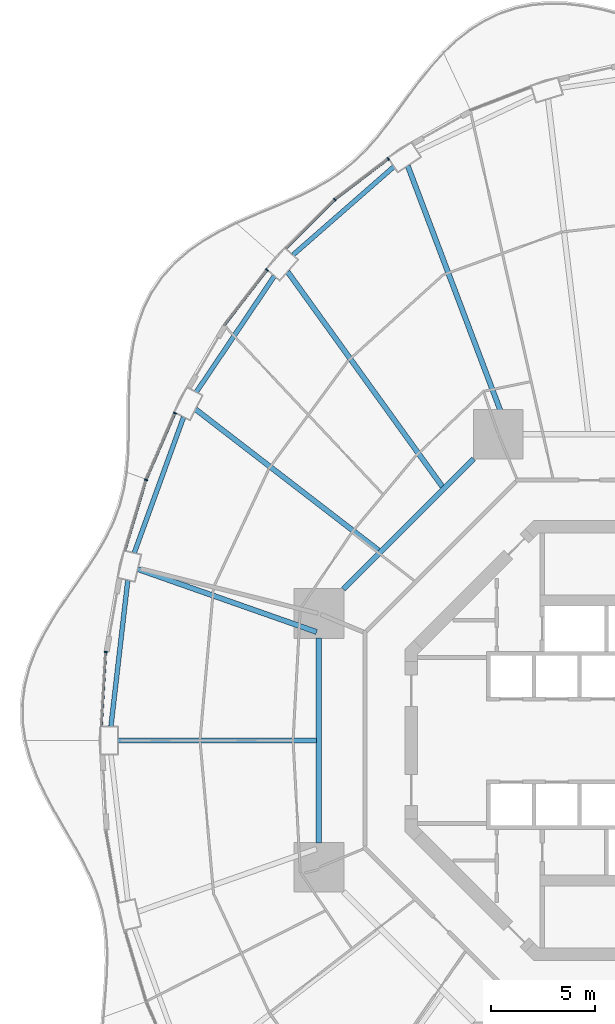
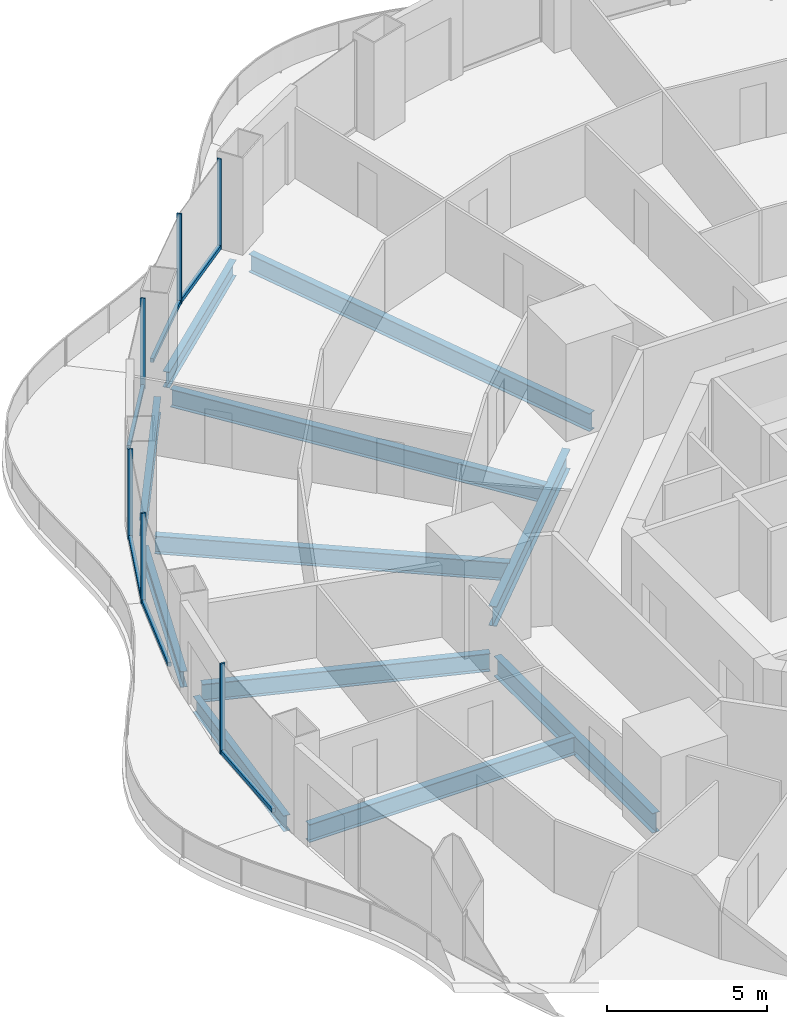
# One storey, part 7 of 22: 12 members, 11 beams, 6 elements without a shape of their own.
"""IFC4 building model written with IfcOpenShell, lengths in metres."""

from ifc_helpers import new_model, si_unit, direction, frame, origin, origin_2d, place, context, subcontext, project, spatial, rectangle, i_section, extrude, material, layer, layer_set, material_profile, profile_set, type_object, element, aggregate, save


model = new_model("IFC4")

# Units and contexts
model_context = context("Model", 3, precision=1e-05, world=origin(), true_north=direction((0.0, 1.0)))
body_context = subcontext(model_context, "Body", "Model", "MODEL_VIEW")
ifc_project = project(units=[si_unit("LENGTHUNIT", "METRE"), si_unit("AREAUNIT", "SQUARE_METRE"), si_unit("VOLUMEUNIT", "CUBIC_METRE"), si_unit("PLANEANGLEUNIT", "RADIAN"), si_unit("MASSUNIT", "GRAM", prefix="KILO")], contexts=[model_context])

# Site, building, storey
site_placement = place(None, origin())
site = spatial("IfcSite", under=ifc_project, at=site_placement, CompositionType="ELEMENT")
building_placement = place(site_placement, origin())
building = spatial("IfcBuilding", under=site, at=building_placement, Name="Nagisa Residences", CompositionType="ELEMENT")
storey_placement = place(building_placement, frame((0.0, 0.0, 34.39990234375)))
storey = spatial("IfcBuildingStorey", under=building, at=storey_placement, Name="L07", CompositionType="ELEMENT", Elevation=34.39990234375)

# Curtain wall, member
ifc_material_1 = material(Name="Concrete-coloured aluminium curtain wall system", Category="concrete")
ifc_layer = layer(ifc_material_1, 0.159912109375)
ifc_layer_set = layer_set([ifc_layer], Name="CW1 CURTAIN WALL")
curtain_wall_type = type_object("IfcCurtainWallType", Name="CW1 CURTAIN WALL", PredefinedType="NOTDEFINED", material=ifc_layer_set)
curtain_wall_1_placement = place(storey_placement, origin())
curtain_wall_1 = element("IfcCurtainWall", 1, at=curtain_wall_1_placement, inside=storey, type_object=curtain_wall_type, Name="cw:CW1:L07:16", PredefinedType="NOTDEFINED")
ifc_material_2 = material(Name="Concrete-coloured aluminium", Category="concrete")
ifc_material_profile_1 = material_profile(ifc_material_2, rectangle(XDim=0.159912109375, YDim=0.06005859375, at=origin_2d()), Name="CW1 MULLION 160x60")
ifc_profile_set_1 = profile_set([ifc_material_profile_1], Name="Concrete-coloured aluminium")
member_type_1 = type_object("IfcMemberType", Name="CW1 MULLION 160x60", PredefinedType="MULLION", material=ifc_profile_set_1)
member_1_placement = place(storey_placement, frame((-11.4326171875, 28.0732421875, 0.0), z_axis=(0.0, 0.0, 1.0), x_axis=(0.605255421737, -0.79603132756, 0.0)))
member_1 = element("IfcMember", 2, at=member_1_placement, type_object=member_type_1, Name="CW1 mullion", PredefinedType="MULLION", context=body_context, shape_type="SweptSolid", body=[
    extrude(rectangle(XDim=0.159912109375, YDim=0.06005859375, at=origin_2d()), origin(), (0.0, 0.0, 1.0), 3.440185546875),
])

curtain_wall_2_placement = place(storey_placement, origin())
curtain_wall_2 = element("IfcCurtainWall", 3, at=curtain_wall_2_placement, inside=storey, type_object=curtain_wall_type, Name="cw:CW1:L07:17", PredefinedType="NOTDEFINED")
member_2_placement = place(storey_placement, frame((-14.018798828125, 26.102783203125, 0.0), z_axis=(0.0, 0.0, 1.0), x_axis=(0.706376885714, -0.707835924016, 0.0)))
member_2 = element("IfcMember", 4, at=member_2_placement, type_object=member_type_1, Name="CW1 mullion", PredefinedType="MULLION", context=body_context, shape_type="SweptSolid", body=[
    extrude(rectangle(XDim=0.159912109375, YDim=0.06005859375, at=origin_2d()), origin(), (0.0, 0.0, 1.0), 3.440185546875),
])

curtain_wall_3_placement = place(storey_placement, origin())
curtain_wall_3 = element("IfcCurtainWall", 5, at=curtain_wall_3_placement, inside=storey, type_object=curtain_wall_type, Name="cw:CW1:L07:18", PredefinedType="NOTDEFINED")
member_3_placement = place(storey_placement, frame((-17.288330078125, 22.70751953125, 0.0), z_axis=(0.0, 0.0, 1.0), x_axis=(0.792070340816, -0.610429828235, 0.0)))
member_3 = element("IfcMember", 6, at=member_3_placement, type_object=member_type_1, Name="CW1 mullion", PredefinedType="MULLION", context=body_context, shape_type="SweptSolid", body=[
    extrude(rectangle(XDim=0.159912109375, YDim=0.06005859375, at=origin_2d()), origin(), (0.0, 0.0, 1.0), 3.440185546875),
])

curtain_wall_4_placement = place(storey_placement, origin())
curtain_wall_4 = element("IfcCurtainWall", 7, at=curtain_wall_4_placement, inside=storey, type_object=curtain_wall_type, Name="cw:CW1:L07:20", PredefinedType="NOTDEFINED")
member_4_placement = place(storey_placement, frame((-21.731689453125, 15.79833984375, 0.0), z_axis=(0.0, 0.0, 1.0), x_axis=(0.917543276295, -0.397635934147, 0.0)))
member_4 = element("IfcMember", 8, at=member_4_placement, type_object=member_type_1, Name="CW1 mullion", PredefinedType="MULLION", context=body_context, shape_type="SweptSolid", body=[
    extrude(rectangle(XDim=0.159912109375, YDim=0.06005859375, at=origin_2d()), origin(), (0.0, 0.0, 1.0), 3.440185546875),
])

curtain_wall_5_placement = place(storey_placement, origin())
curtain_wall_5 = element("IfcCurtainWall", 9, at=curtain_wall_5_placement, inside=storey, type_object=curtain_wall_type, Name="cw:CW1:L07:21", PredefinedType="NOTDEFINED")
member_5_placement = place(storey_placement, frame((-23.12451171875, 12.576904296875, 0.0), z_axis=(0.0, 0.0, 1.0), x_axis=(0.958271310082, -0.285860274038, 0.0)))
member_5 = element("IfcMember", 10, at=member_5_placement, type_object=member_type_1, Name="CW1 mullion", PredefinedType="MULLION", context=body_context, shape_type="SweptSolid", body=[
    extrude(rectangle(XDim=0.159912109375, YDim=0.06005859375, at=origin_2d()), origin(), (0.0, 0.0, 1.0), 3.440185546875),
])

curtain_wall_6_placement = place(storey_placement, origin())
curtain_wall_6 = element("IfcCurtainWall", 11, at=curtain_wall_6_placement, inside=storey, type_object=curtain_wall_type, Name="cw:CW1:L07:23", PredefinedType="NOTDEFINED")
member_6_placement = place(storey_placement, frame((-25.07373046875, 4.272705078125, 0.0), z_axis=(0.0, 0.0, 1.0), x_axis=(0.998345305184, -0.057503492216, 0.0)))
member_6 = element("IfcMember", 12, at=member_6_placement, type_object=member_type_1, Name="CW1 mullion", PredefinedType="MULLION", context=body_context, shape_type="SweptSolid", body=[
    extrude(rectangle(XDim=0.159912109375, YDim=0.06005859375, at=origin_2d()), origin(), (0.0, 0.0, 1.0), 3.440185546875),
])

# Member
ifc_material_3 = material(Name="Concrete-coloured aluminium", Category="concrete")
ifc_material_profile_2 = material_profile(ifc_material_3, rectangle(XDim=0.1201171875, YDim=0.14990234375, at=origin_2d()), Name="CW1 TRANSOM 120x150")
ifc_profile_set_2 = profile_set([ifc_material_profile_2], Name="Concrete-coloured aluminium")
member_type_2 = type_object("IfcMemberType", Name="CW1 TRANSOM 120x150", PredefinedType="USERDEFINED", material=ifc_profile_set_2)
member_7_placement = place(storey_placement, frame((-11.40869140625, 28.091552734375, 0.0751953125), z_axis=(-0.796022293214, -0.605267303517, 0.0), x_axis=(0.605267303517, -0.796022293214, 0.0)))
member_7 = element("IfcMember", 13, at=member_7_placement, type_object=member_type_2, Name="CW1 transom", ObjectType="TRANSOM", PredefinedType="USERDEFINED", context=body_context, shape_type="SweptSolid", body=[
    extrude(rectangle(XDim=0.1201171875, YDim=0.14990234375, at=origin_2d()), origin(), (0.0, 0.0, 1.0), 3.262451171875),
])

aggregate(curtain_wall_1, [member_1, member_7])

member_8_placement = place(storey_placement, frame((-13.99755859375, 26.1240234375, 0.0751953125), z_axis=(-0.707839761606, -0.706373040177, 0.0), x_axis=(0.706373040177, -0.707839761606, 0.0)))
member_8 = element("IfcMember", 14, at=member_8_placement, type_object=member_type_2, Name="CW1 transom", ObjectType="TRANSOM", PredefinedType="USERDEFINED", context=body_context, shape_type="SweptSolid", body=[
    extrude(rectangle(XDim=0.1201171875, YDim=0.14990234375, at=origin_2d()), origin(), (0.0, 0.0, 1.0), 3.3291015625),
])

aggregate(curtain_wall_2, [member_2, member_8])

member_9_placement = place(storey_placement, frame((-17.27001953125, 22.731201171875, 0.0751953125), z_axis=(-0.610457147657, -0.792049285635, 0.0), x_axis=(0.792049285635, -0.610457147657, 0.0)))
member_9 = element("IfcMember", 15, at=member_9_placement, type_object=member_type_2, Name="CW1 transom", ObjectType="TRANSOM", PredefinedType="USERDEFINED", context=body_context, shape_type="SweptSolid", body=[
    extrude(rectangle(XDim=0.1201171875, YDim=0.14990234375, at=origin_2d()), origin(), (0.0, 0.0, 1.0), 3.3974609375),
])

aggregate(curtain_wall_3, [member_3, member_9])

member_10_placement = place(storey_placement, frame((-21.7197265625, 15.825927734375, 0.0751953125), z_axis=(-0.397624958345, -0.917548032803, 0.0), x_axis=(0.917548032803, -0.397624958345, 0.0)))
member_10 = element("IfcMember", 16, at=member_10_placement, type_object=member_type_2, Name="CW1 transom", ObjectType="TRANSOM", PredefinedType="USERDEFINED", context=body_context, shape_type="SweptSolid", body=[
    extrude(rectangle(XDim=0.1201171875, YDim=0.14990234375, at=origin_2d()), origin(), (0.0, 0.0, 1.0), 3.51953125),
])

aggregate(curtain_wall_4, [member_4, member_10])

member_11_placement = place(storey_placement, frame((-23.115966796875, 12.605712890625, 0.0751953125), z_axis=(-0.285808431121, -0.958286773727, 0.0), x_axis=(0.958286773727, -0.285808431121, 0.0)))
member_11 = element("IfcMember", 17, at=member_11_placement, type_object=member_type_2, Name="CW1 transom", ObjectType="TRANSOM", PredefinedType="USERDEFINED", context=body_context, shape_type="SweptSolid", body=[
    extrude(rectangle(XDim=0.1201171875, YDim=0.14990234375, at=origin_2d()), origin(), (0.0, 0.0, 1.0), 3.5654296875),
])

aggregate(curtain_wall_5, [member_5, member_11])

member_12_placement = place(storey_placement, frame((-25.072021484375, 4.302734375, 0.0751953125), z_axis=(-0.057482603412, -0.998346508135, 0.0), x_axis=(0.998346508135, -0.057482603412, 0.0)))
member_12 = element("IfcMember", 18, at=member_12_placement, type_object=member_type_2, Name="CW1 transom", ObjectType="TRANSOM", PredefinedType="USERDEFINED", context=body_context, shape_type="SweptSolid", body=[
    extrude(rectangle(XDim=0.1201171875, YDim=0.14990234375, at=origin_2d()), origin(), (0.0, 0.0, 1.0), 3.6142578125),
])

aggregate(curtain_wall_6, [member_6, member_12])

# Beams
ifc_material_4 = material(Name="Steel ASTM A572 Gr 50", Category="steel")
ifc_material_profile_3 = material_profile(ifc_material_4, i_section(OverallWidth=0.264892578125, OverallDepth=0.7529296875, WebThickness=0.01318359375, FlangeThickness=0.01708984375, at=origin_2d()), Name="W760x147")
ifc_profile_set_3 = profile_set([ifc_material_profile_3], Name="Steel ASTM A572 Gr 50")
beam_type_1 = type_object("IfcBeamType", Name="Inner ring beam W760x147", PredefinedType="BEAM", material=ifc_profile_set_3)
beam_1_placement = place(storey_placement, frame((-7.308837890625, 13.59619140625, -0.636474609375), z_axis=(-0.707106781187, -0.707106781187, 0.0), x_axis=(0.707106781187, -0.707106781187, 0.0)))
element("IfcBeam", 19, at=beam_1_placement, inside=storey, type_object=beam_type_1, Name="beam:L07:ib3", PredefinedType="BEAM", context=body_context, shape_type="SweptSolid", body=[
    extrude(i_section(OverallWidth=0.264892578125, OverallDepth=0.7529296875, WebThickness=0.01318359375, FlangeThickness=0.01708984375, at=origin_2d()), origin(), (0.0, 0.0, 1.0), 8.8916015625),
])
beam_2_placement = place(storey_placement, frame((-14.781982421875, 4.94287109375, -0.636474609375), z_axis=(0.0, -1.0, 0.0), x_axis=(1.0, 0.0, 0.0)))
element("IfcBeam", 20, at=beam_2_placement, inside=storey, type_object=beam_type_1, Name="beam:L07:ib4", PredefinedType="BEAM", context=body_context, shape_type="SweptSolid", body=[
    extrude(i_section(OverallWidth=0.264892578125, OverallDepth=0.7529296875, WebThickness=0.01318359375, FlangeThickness=0.01708984375, at=origin_2d()), origin(), (0.0, 0.0, 1.0), 9.8857421875),
])
ifc_material_5 = material(Name="Steel ASTM A572 Gr 50", Category="steel")
ifc_material_profile_4 = material_profile(ifc_material_5, i_section(OverallWidth=0.22802734375, OverallDepth=0.60302734375, WebThickness=0.010498046875, FlangeThickness=0.014892578125, at=origin_2d()), Name="W610x101")
ifc_profile_set_4 = profile_set([ifc_material_profile_4], Name="Steel ASTM A572 Gr 50")
beam_type_2 = type_object("IfcBeamType", Name="Perimeter ring beam W610x101", PredefinedType="BEAM", material=ifc_profile_set_4)
beam_3_placement = place(storey_placement, frame((-11.166748046875, 27.693603515625, -0.5615234375), z_axis=(-0.752574357292, -0.658507279191, 0.0), x_axis=(0.658507279191, -0.752574357292, 0.0)))
element("IfcBeam", 21, at=beam_3_placement, inside=storey, type_object=beam_type_2, Name="beam:L07:pb09", PredefinedType="BEAM", context=body_context, shape_type="SweptSolid", body=[
    extrude(i_section(OverallWidth=0.22802734375, OverallDepth=0.60302734375, WebThickness=0.010498046875, FlangeThickness=0.014892578125, at=origin_2d()), origin(), (0.0, 0.0, 1.0), 6.47021484375),
])
beam_4_placement = place(storey_placement, frame((-16.935302734375, 22.411865234375, -0.5615234375), z_axis=(-0.558296806041, -0.829641293792, 0.0), x_axis=(0.829641293792, -0.558296806041, 0.0)))
element("IfcBeam", 22, at=beam_4_placement, inside=storey, type_object=beam_type_2, Name="beam:L07:pb10", PredefinedType="BEAM", context=body_context, shape_type="SweptSolid", body=[
    extrude(i_section(OverallWidth=0.22802734375, OverallDepth=0.60302734375, WebThickness=0.010498046875, FlangeThickness=0.014892578125, at=origin_2d()), origin(), (0.0, 0.0, 1.0), 6.74169921875),
])
beam_5_placement = place(storey_placement, frame((-21.315673828125, 15.60595703125, -0.5615234375), z_axis=(-0.341411143183, -0.939914055279, 0.0), x_axis=(0.939914055279, -0.341411143183, 0.0)))
element("IfcBeam", 23, at=beam_5_placement, inside=storey, type_object=beam_type_2, Name="beam:L07:pb11", PredefinedType="BEAM", context=body_context, shape_type="SweptSolid", body=[
    extrude(i_section(OverallWidth=0.22802734375, OverallDepth=0.60302734375, WebThickness=0.010498046875, FlangeThickness=0.014892578125, at=origin_2d()), origin(), (0.0, 0.0, 1.0), 6.96923828125),
])
beam_6_placement = place(storey_placement, frame((-24.00732421875, 7.7314453125, -0.5615234375), z_axis=(-0.114707660057, -0.993399291687, 0.0), x_axis=(0.993399291687, -0.114707660057, 0.0)))
element("IfcBeam", 24, at=beam_6_placement, inside=storey, type_object=beam_type_2, Name="beam:L07:pb12", PredefinedType="BEAM", context=body_context, shape_type="SweptSolid", body=[
    extrude(i_section(OverallWidth=0.22802734375, OverallDepth=0.60302734375, WebThickness=0.010498046875, FlangeThickness=0.014892578125, at=origin_2d()), origin(), (0.0, 0.0, 1.0), 7.09814453125),
])
ifc_material_6 = material(Name="Steel ASTM A572 Gr 50", Category="steel")
ifc_material_profile_5 = material_profile(ifc_material_6, i_section(OverallWidth=0.25390625, OverallDepth=0.68408203125, WebThickness=0.012451171875, FlangeThickness=0.018798828125, at=origin_2d()), Name="W690x140")
ifc_profile_set_5 = profile_set([ifc_material_profile_5], Name="Steel ASTM A572 Gr 50")
beam_type_3 = type_object("IfcBeamType", Name="Radial beam W690x140", PredefinedType="BEAM", material=ifc_profile_set_5)
beam_7_placement = place(storey_placement, frame((-10.493896484375, 27.7333984375, -0.601806640625), z_axis=(0.353887892206, -0.935287848606, 0.0), x_axis=(0.935287848606, 0.353887892206, 0.0)))
element("IfcBeam", 25, at=beam_7_placement, inside=storey, type_object=beam_type_3, Name="beam:L07:rb09", PredefinedType="BEAM", context=body_context, shape_type="SweptSolid", body=[
    extrude(i_section(OverallWidth=0.25390625, OverallDepth=0.68408203125, WebThickness=0.012451171875, FlangeThickness=0.018798828125, at=origin_2d()), origin(), (0.0, 0.0, 1.0), 13.725830078125),
])
beam_8_placement = place(storey_placement, frame((-16.29443359375, 22.62255859375, -0.601806640625), z_axis=(0.58445507622, -0.811426068031, 0.0), x_axis=(0.811426068031, 0.58445507622, 0.0)))
element("IfcBeam", 26, at=beam_8_placement, inside=storey, type_object=beam_type_3, Name="beam:L07:rb10", PredefinedType="BEAM", context=body_context, shape_type="SweptSolid", body=[
    extrude(i_section(OverallWidth=0.25390625, OverallDepth=0.68408203125, WebThickness=0.012451171875, FlangeThickness=0.018798828125, at=origin_2d()), origin(), (0.0, 0.0, 1.0), 12.78955078125),
])
beam_9_placement = place(storey_placement, frame((-20.73486328125, 15.982666015625, -0.601806640625), z_axis=(0.792016146736, -0.610500141941, 0.0), x_axis=(0.610500141941, 0.792016146736, 0.0)))
element("IfcBeam", 27, at=beam_9_placement, inside=storey, type_object=beam_type_3, Name="beam:L07:rb11", PredefinedType="BEAM", context=body_context, shape_type="SweptSolid", body=[
    extrude(i_section(OverallWidth=0.25390625, OverallDepth=0.68408203125, WebThickness=0.012451171875, FlangeThickness=0.018798828125, at=origin_2d()), origin(), (0.0, 0.0, 1.0), 11.160888671875),
])
beam_10_placement = place(storey_placement, frame((-23.520751953125, 8.26806640625, -0.601806640625), z_axis=(0.943414535235, -0.331615763659, 0.0), x_axis=(0.331615763659, 0.943414535235, 0.0)))
element("IfcBeam", 28, at=beam_10_placement, inside=storey, type_object=beam_type_3, Name="beam:L07:rb12", PredefinedType="BEAM", context=body_context, shape_type="SweptSolid", body=[
    extrude(i_section(OverallWidth=0.25390625, OverallDepth=0.68408203125, WebThickness=0.012451171875, FlangeThickness=0.018798828125, at=origin_2d()), origin(), (0.0, 0.0, 1.0), 9.142333984375),
])
beam_11_placement = place(storey_placement, frame((-24.469970703125, 0.0, -0.601806640625), z_axis=(1.0, 0.0, 0.0), x_axis=(0.0, 1.0, 0.0)))
element("IfcBeam", 29, at=beam_11_placement, inside=storey, type_object=beam_type_3, Name="beam:L07:rb13", PredefinedType="BEAM", context=body_context, shape_type="SweptSolid", body=[
    extrude(i_section(OverallWidth=0.25390625, OverallDepth=0.68408203125, WebThickness=0.012451171875, FlangeThickness=0.018798828125, at=origin_2d()), origin(), (0.0, 0.0, 1.0), 9.575439453125),
])

save(model, "model.ifc")
